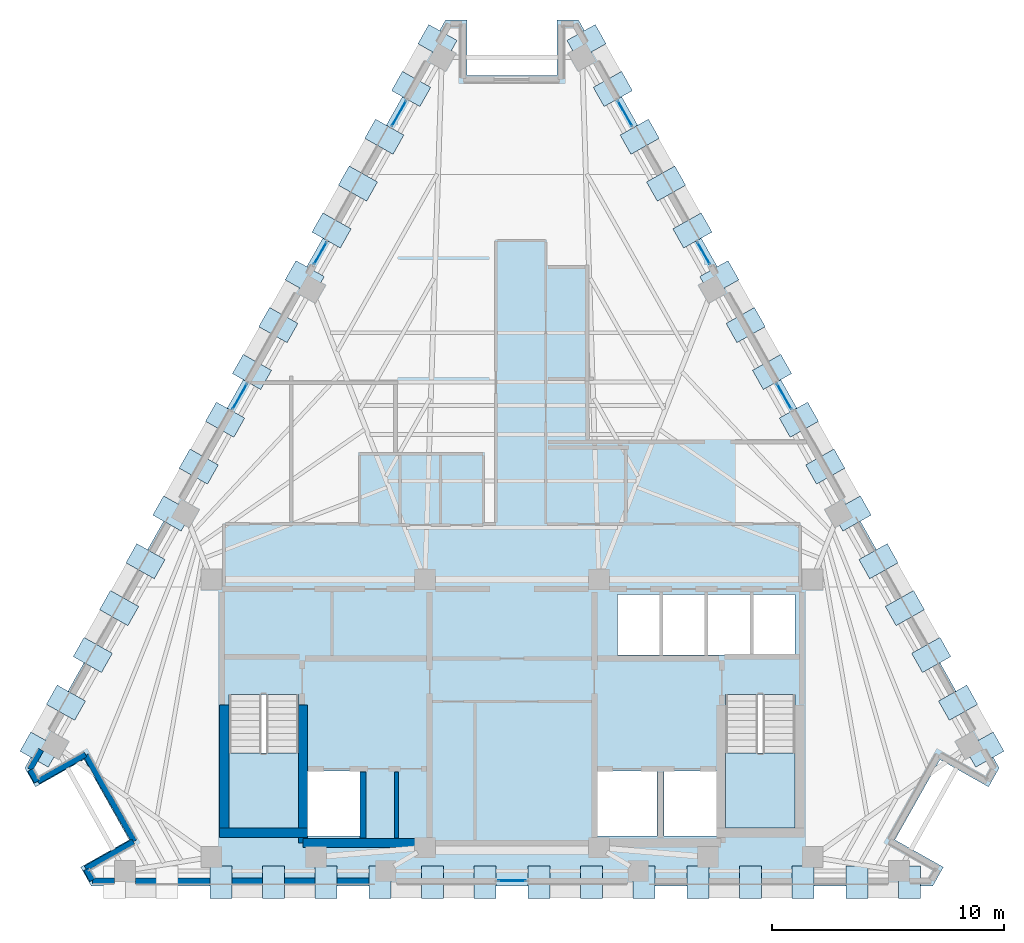
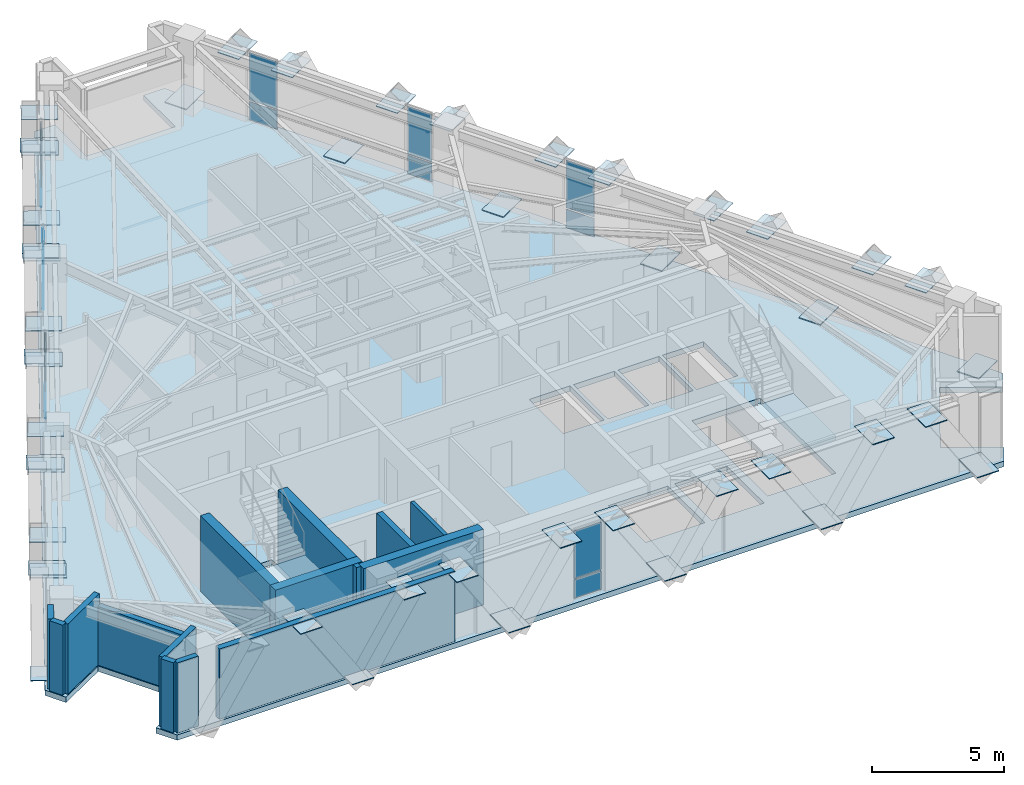
# One storey, part 6 of 12: 60 plates, 14 walls, 3 slabs, 9 elements without a shape of their own.
"""IFC4 building model written with IfcOpenShell, lengths in metres."""

from ifc_helpers import new_model, si_unit, direction, frame, frame_2d, origin, origin_2d, place, context, subcontext, project, spatial, polyline, rectangle, outline, extrude, material, layer, layer_set, type_object, element, aggregate, save


model = new_model("IFC4")

# Units and contexts
model_context = context("Model", 3, precision=1e-05, world=origin(), true_north=direction((0.0, 1.0)))
body_context = subcontext(model_context, "Body", "Model", "MODEL_VIEW")
ifc_project = project(units=[si_unit("LENGTHUNIT", "METRE"), si_unit("AREAUNIT", "SQUARE_METRE"), si_unit("VOLUMEUNIT", "CUBIC_METRE"), si_unit("PLANEANGLEUNIT", "RADIAN"), si_unit("MASSUNIT", "GRAM", prefix="KILO")], contexts=[model_context])

# Site, building, storey
site_placement = place(None, origin())
site = spatial("IfcSite", under=ifc_project, at=site_placement, CompositionType="ELEMENT")
building_placement = place(site_placement, origin())
building = spatial("IfcBuilding", under=site, at=building_placement, Name="Quenlor Broadcast Tower", CompositionType="ELEMENT")
storey_placement = place(building_placement, frame((0.0, 0.0, 221.89990234375)))
storey = spatial("IfcBuildingStorey", under=building, at=storey_placement, Name="L61", CompositionType="ELEMENT", Elevation=221.89990234375)

# Curtain wall, plates
ifc_material_1 = material(Name="Architectural Terracotta and Low-E Glazing", Category="masonry")
curtain_wall_type = type_object("IfcCurtainWallType", Name="Unitised Terracotta Curtain Wall System Z4", PredefinedType="NOTDEFINED", material=ifc_material_1)
curtain_wall_1_placement = place(storey_placement, origin())
curtain_wall_1 = element("IfcCurtainWall", 1, at=curtain_wall_1_placement, inside=storey, type_object=curtain_wall_type, Name="L61 Curtain Wall CW4 (L61-S-G1)", PredefinedType="NOTDEFINED")
ifc_material_2 = material(Name="Double Glazed Low-E Solar Glass", Category="glass")
ifc_layer_1 = layer(ifc_material_2, 0.028076171875)
ifc_layer_set_1 = layer_set([ifc_layer_1], Name="CW4 Double Glazed Vision Panel 28")
plate_type_1 = type_object("IfcPlateType", Name="CW4 Double Glazed Vision Panel 28", PredefinedType="CURTAIN_PANEL", material=ifc_layer_set_1)
plate_1_placement = place(storey_placement, frame((0.0, -17.77490234375, 0.068359375), z_axis=(0.0, 0.0, 1.0), x_axis=(-1.0, 0.0, 0.0)))
plate_1 = element("IfcPlate", 2, at=plate_1_placement, type_object=plate_type_1, Name="CW4 panel 1.1", PredefinedType="CURTAIN_PANEL", context=body_context, shape_type="SweptSolid", body=[
    extrude(rectangle(XDim=1.188720703125, YDim=0.028076171875, at=origin_2d()), origin(), (0.0, 0.0, 1.0), 0.847900390625),
])
plate_2_placement = place(storey_placement, frame((0.0, -17.77490234375, 0.98388671875), z_axis=(0.0, 0.0, 1.0), x_axis=(-1.0, 0.0, 0.0)))
plate_2 = element("IfcPlate", 3, at=plate_2_placement, type_object=plate_type_1, Name="CW4 panel 1.2", PredefinedType="CURTAIN_PANEL", context=body_context, shape_type="SweptSolid", body=[
    extrude(rectangle(XDim=1.188720703125, YDim=0.028076171875, at=origin_2d()), origin(), (0.0, 0.0, 1.0), 2.197998046875),
])
aggregate(curtain_wall_1, [plate_1, plate_2])

curtain_wall_2_placement = place(storey_placement, origin())
curtain_wall_2 = element("IfcCurtainWall", 4, at=curtain_wall_2_placement, inside=storey, type_object=curtain_wall_type, Name="L61 Curtain Wall CW4 (L61-NEA-G1)", PredefinedType="NOTDEFINED")
plate_3_placement = place(storey_placement, frame((4.87060546875, 15.281982421875, 0.068359375), z_axis=(0.0, 0.0, 1.0), x_axis=(0.490288844266, -0.871560008943, 0.0)))
plate_3 = element("IfcPlate", 5, at=plate_3_placement, type_object=plate_type_1, Name="CW4 panel 1.1", PredefinedType="CURTAIN_PANEL", context=body_context, shape_type="SweptSolid", body=[
    extrude(rectangle(XDim=1.239990234375, YDim=0.028076171875, at=origin_2d()), origin(), (0.0, 0.0, 1.0), 0.847900390625),
])
plate_4_placement = place(storey_placement, frame((4.87060546875, 15.281982421875, 0.98388671875), z_axis=(0.0, 0.0, 1.0), x_axis=(0.490288844266, -0.871560008943, 0.0)))
plate_4 = element("IfcPlate", 6, at=plate_4_placement, type_object=plate_type_1, Name="CW4 panel 1.2", PredefinedType="CURTAIN_PANEL", context=body_context, shape_type="SweptSolid", body=[
    extrude(rectangle(XDim=1.239990234375, YDim=0.028076171875, at=origin_2d()), origin(), (0.0, 0.0, 1.0), 2.197998046875),
])
aggregate(curtain_wall_2, [plate_3, plate_4])

curtain_wall_3_placement = place(storey_placement, origin())
curtain_wall_3 = element("IfcCurtainWall", 7, at=curtain_wall_3_placement, inside=storey, type_object=curtain_wall_type, Name="L61 Curtain Wall CW4 (L61-NEA-G2)", PredefinedType="NOTDEFINED")
plate_5_placement = place(storey_placement, frame((8.257080078125, 9.26171875, 0.068359375), z_axis=(0.0, 0.0, 1.0), x_axis=(0.490292850918, -0.871557755022, 0.0)))
plate_5 = element("IfcPlate", 8, at=plate_5_placement, type_object=plate_type_1, Name="CW4 panel 1.1", PredefinedType="CURTAIN_PANEL", context=body_context, shape_type="SweptSolid", body=[
    extrude(rectangle(XDim=1.0654296875, YDim=0.028076171875, at=origin_2d()), origin(), (0.0, 0.0, 1.0), 0.847900390625),
])
plate_6_placement = place(storey_placement, frame((8.257080078125, 9.26171875, 0.98388671875), z_axis=(0.0, 0.0, 1.0), x_axis=(0.490292850918, -0.871557755022, 0.0)))
plate_6 = element("IfcPlate", 9, at=plate_6_placement, type_object=plate_type_1, Name="CW4 panel 1.2", PredefinedType="CURTAIN_PANEL", context=body_context, shape_type="SweptSolid", body=[
    extrude(rectangle(XDim=1.0654296875, YDim=0.028076171875, at=origin_2d()), origin(), (0.0, 0.0, 1.0), 2.197998046875),
])
aggregate(curtain_wall_3, [plate_5, plate_6])

curtain_wall_4_placement = place(storey_placement, origin())
curtain_wall_4 = element("IfcCurtainWall", 10, at=curtain_wall_4_placement, inside=storey, type_object=curtain_wall_type, Name="L61 Curtain Wall CW4 (L61-NE-G1)", PredefinedType="NOTDEFINED")
plate_7_placement = place(storey_placement, frame((11.72900390625, 3.089599609375, 0.068359375), z_axis=(0.0, 0.0, 1.0), x_axis=(0.490288844266, -0.871560008943, 0.0)))
plate_7 = element("IfcPlate", 11, at=plate_7_placement, type_object=plate_type_1, Name="CW4 panel 1.1", PredefinedType="CURTAIN_PANEL", context=body_context, shape_type="SweptSolid", body=[
    extrude(rectangle(XDim=1.239990234375, YDim=0.028076171875, at=origin_2d()), origin(), (0.0, 0.0, 1.0), 0.847900390625),
])
plate_8_placement = place(storey_placement, frame((11.72900390625, 3.089599609375, 0.98388671875), z_axis=(0.0, 0.0, 1.0), x_axis=(0.490288844266, -0.871560008943, 0.0)))
plate_8 = element("IfcPlate", 12, at=plate_8_placement, type_object=plate_type_1, Name="CW4 panel 1.2", PredefinedType="CURTAIN_PANEL", context=body_context, shape_type="SweptSolid", body=[
    extrude(rectangle(XDim=1.239990234375, YDim=0.028076171875, at=origin_2d()), origin(), (0.0, 0.0, 1.0), 2.197998046875),
])
aggregate(curtain_wall_4, [plate_7, plate_8])

curtain_wall_5_placement = place(storey_placement, origin())
curtain_wall_5 = element("IfcCurtainWall", 13, at=curtain_wall_5_placement, inside=storey, type_object=curtain_wall_type, Name="L61 Curtain Wall CW4 (L61-NWC-G1)", PredefinedType="NOTDEFINED")
plate_9_placement = place(storey_placement, frame((-8.257080078125, 9.26171875, 0.068359375), z_axis=(0.0, 0.0, 1.0), x_axis=(0.490292850918, 0.871557755022, 0.0)))
plate_9 = element("IfcPlate", 14, at=plate_9_placement, type_object=plate_type_1, Name="CW4 panel 1.1", PredefinedType="CURTAIN_PANEL", context=body_context, shape_type="SweptSolid", body=[
    extrude(rectangle(XDim=1.0654296875, YDim=0.028076171875, at=origin_2d()), origin(), (0.0, 0.0, 1.0), 0.847900390625),
])
plate_10_placement = place(storey_placement, frame((-8.257080078125, 9.26171875, 0.98388671875), z_axis=(0.0, 0.0, 1.0), x_axis=(0.490292850918, 0.871557755022, 0.0)))
plate_10 = element("IfcPlate", 15, at=plate_10_placement, type_object=plate_type_1, Name="CW4 panel 1.2", PredefinedType="CURTAIN_PANEL", context=body_context, shape_type="SweptSolid", body=[
    extrude(rectangle(XDim=1.0654296875, YDim=0.028076171875, at=origin_2d()), origin(), (0.0, 0.0, 1.0), 2.197998046875),
])
aggregate(curtain_wall_5, [plate_9, plate_10])

curtain_wall_6_placement = place(storey_placement, origin())
curtain_wall_6 = element("IfcCurtainWall", 16, at=curtain_wall_6_placement, inside=storey, type_object=curtain_wall_type, Name="L61 Curtain Wall CW4 (L61-NWC-G2)", PredefinedType="NOTDEFINED")
plate_11_placement = place(storey_placement, frame((-4.87060546875, 15.281982421875, 0.068359375), z_axis=(0.0, 0.0, 1.0), x_axis=(0.490288844266, 0.871560008943, 0.0)))
plate_11 = element("IfcPlate", 17, at=plate_11_placement, type_object=plate_type_1, Name="CW4 panel 1.1", PredefinedType="CURTAIN_PANEL", context=body_context, shape_type="SweptSolid", body=[
    extrude(rectangle(XDim=1.239990234375, YDim=0.028076171875, at=origin_2d()), origin(), (0.0, 0.0, 1.0), 0.847900390625),
])
plate_12_placement = place(storey_placement, frame((-4.87060546875, 15.281982421875, 0.98388671875), z_axis=(0.0, 0.0, 1.0), x_axis=(0.490288844266, 0.871560008943, 0.0)))
plate_12 = element("IfcPlate", 18, at=plate_12_placement, type_object=plate_type_1, Name="CW4 panel 1.2", PredefinedType="CURTAIN_PANEL", context=body_context, shape_type="SweptSolid", body=[
    extrude(rectangle(XDim=1.239990234375, YDim=0.028076171875, at=origin_2d()), origin(), (0.0, 0.0, 1.0), 2.197998046875),
])
aggregate(curtain_wall_6, [plate_11, plate_12])

curtain_wall_7_placement = place(storey_placement, origin())
curtain_wall_7 = element("IfcCurtainWall", 19, at=curtain_wall_7_placement, inside=storey, type_object=curtain_wall_type, Name="L61 Curtain Wall CW4 (L61-NW-G1)", PredefinedType="NOTDEFINED")
plate_13_placement = place(storey_placement, frame((-11.72900390625, 3.089599609375, 0.068359375), z_axis=(0.0, 0.0, 1.0), x_axis=(0.490288844266, 0.871560008943, 0.0)))
plate_13 = element("IfcPlate", 20, at=plate_13_placement, type_object=plate_type_1, Name="CW4 panel 1.1", PredefinedType="CURTAIN_PANEL", context=body_context, shape_type="SweptSolid", body=[
    extrude(rectangle(XDim=1.239990234375, YDim=0.028076171875, at=origin_2d()), origin(), (0.0, 0.0, 1.0), 0.847900390625),
])
plate_14_placement = place(storey_placement, frame((-11.72900390625, 3.089599609375, 0.98388671875), z_axis=(0.0, 0.0, 1.0), x_axis=(0.490288844266, 0.871560008943, 0.0)))
plate_14 = element("IfcPlate", 21, at=plate_14_placement, type_object=plate_type_1, Name="CW4 panel 1.2", PredefinedType="CURTAIN_PANEL", context=body_context, shape_type="SweptSolid", body=[
    extrude(rectangle(XDim=1.239990234375, YDim=0.028076171875, at=origin_2d()), origin(), (0.0, 0.0, 1.0), 2.197998046875),
])
aggregate(curtain_wall_7, [plate_13, plate_14])

# Stair, slab
ifc_material_3 = material(Name="Precast concrete C40/50", Category="concrete")
stair_type = type_object("IfcStairType", Name="Precast Concrete C40/50 Dogleg Stair H350", PredefinedType="HALF_TURN_STAIR", material=ifc_material_3)
stair_1_placement = place(storey_placement, origin())
stair_1 = element("IfcStair", 22, at=stair_1_placement, inside=storey, type_object=stair_type, Name="L61 West Core Fire-Isolated Exit Stair ST-1", PredefinedType="HALF_TURN_STAIR")
ifc_material_4 = material(Name="Precast concrete C40/50", Category="concrete")
ifc_layer_2 = layer(ifc_material_4, 0.199951171875)
ifc_layer_set_2 = layer_set([ifc_layer_2], Name="Precast Concrete C40/50 Stair Landing Slab 200")
slab_type_1 = type_object("IfcSlabType", Name="Precast Concrete C40/50 Stair Landing Slab 200", PredefinedType="LANDING", material=ifc_layer_set_2)
slab_1_placement = place(storey_placement, frame((0.0, 0.0, 1.550048828125)))
slab_1 = element("IfcSlab", 23, at=slab_1_placement, type_object=slab_type_1, Name="ST-1 landing 1", PredefinedType="LANDING", context=body_context, shape_type="SweptSolid", body=[
    extrude(outline(polyline([(-12.199951171875, -12.27001953125), (-12.199951171875, -15.5), (-9.199951171875, -15.5), (-9.199951171875, -12.27001953125), (-12.199951171875, -12.27001953125)])), origin(), (0.0, 0.0, 1.0), 0.199951171875),
])
aggregate(stair_1, [slab_1])

stair_2_placement = place(storey_placement, origin())
stair_2 = element("IfcStair", 24, at=stair_2_placement, inside=storey, type_object=stair_type, Name="L61 East Core Fire-Isolated Exit Stair ST-2", PredefinedType="HALF_TURN_STAIR")
slab_2_placement = place(storey_placement, frame((0.0, 0.0, 1.550048828125)))
slab_2 = element("IfcSlab", 25, at=slab_2_placement, type_object=slab_type_1, Name="ST-2 landing 1", PredefinedType="LANDING", context=body_context, shape_type="SweptSolid", body=[
    extrude(outline(polyline([(9.199951171875, -12.27001953125), (9.199951171875, -15.5), (12.199951171875, -15.5), (12.199951171875, -12.27001953125), (9.199951171875, -12.27001953125)])), origin(), (0.0, 0.0, 1.0), 0.199951171875),
])
aggregate(stair_2, [slab_2])

# Slab
ifc_material_5 = material(Name="Concrete C40/50", Category="concrete")
ifc_layer_3 = layer(ifc_material_5, 0.25)
ifc_layer_set_3 = layer_set([ifc_layer_3], Name="Tower Composite Concrete C40/50 Slab 250")
slab_type_2 = type_object("IfcSlabType", Name="Tower Composite Concrete C40/50 Slab 250", PredefinedType="FLOOR", material=ifc_layer_set_3)
slab_3_placement = place(storey_placement, frame((0.0, 0.0, -0.25)))
element("IfcSlab", 26, at=slab_3_placement, inside=storey, type_object=slab_type_2, Name="L61 Structural Floor Slab", PredefinedType="FLOOR", context=body_context, shape_type="SweptSolid", body=[
    extrude(outline(polyline([(18.1259765625, -18.0), (18.583984375, -17.185791015625), (16.4921875, -16.00927734375), (18.438232421875, -12.549560546875), (20.530029296875, -13.72607421875), (20.988037109375, -12.912109375), (2.862060546875, 19.31201171875), (1.9462890625, 19.31201171875), (1.9462890625, 16.912109375), (-1.9462890625, 16.912109375), (-1.9462890625, 19.31201171875), (-2.862060546875, 19.31201171875), (-20.988037109375, -12.912109375), (-20.530029296875, -13.72607421875), (-18.438232421875, -12.549560546875), (-16.4921875, -16.00927734375), (-18.583984375, -17.185791015625), (-18.1259765625, -18.0), (18.1259765625, -18.0)]), holes=[polyline([(-12.199951171875, -9.758056640625), (-12.199951171875, -15.5), (-9.199951171875, -15.5), (-9.199951171875, -9.758056640625), (-12.199951171875, -9.758056640625)]), polyline([(9.199951171875, -9.758056640625), (9.199951171875, -15.5), (12.199951171875, -15.5), (12.199951171875, -9.758056640625), (9.199951171875, -9.758056640625)]), polyline([(4.550048828125, -8.050048828125), (6.35009765625, -8.050048828125), (6.35009765625, -5.449951171875), (4.550048828125, -5.449951171875), (4.550048828125, -8.050048828125)]), polyline([(6.5, -8.050048828125), (8.300048828125, -8.050048828125), (8.300048828125, -5.449951171875), (6.5, -5.449951171875), (6.5, -8.050048828125)]), polyline([(8.449951171875, -8.050048828125), (10.25, -8.050048828125), (10.25, -5.449951171875), (8.449951171875, -5.449951171875), (8.449951171875, -8.050048828125)]), polyline([(10.39990234375, -8.050048828125), (12.199951171875, -8.050048828125), (12.199951171875, -5.449951171875), (10.39990234375, -5.449951171875), (10.39990234375, -8.050048828125)]), polyline([(-8.85009765625, -15.85009765625), (-6.550048828125, -15.85009765625), (-6.550048828125, -13.050048828125), (-8.85009765625, -13.050048828125), (-8.85009765625, -15.85009765625)]), polyline([(6.550048828125, -15.85009765625), (8.85009765625, -15.85009765625), (8.85009765625, -13.050048828125), (6.550048828125, -13.050048828125), (6.550048828125, -15.85009765625)]), polyline([(3.64990234375, -15.85009765625), (6.25, -15.85009765625), (6.25, -13.050048828125), (3.64990234375, -13.050048828125), (3.64990234375, -15.85009765625)])]), origin(), (0.0, 0.0, 1.0), 0.25),
])

# Plates
ifc_material_6 = material(Name="Steel S355", Category="steel")
ifc_layer_4 = layer(ifc_material_6, 0.035888671875)
ifc_layer_set_4 = layer_set([ifc_layer_4], Name="Transfer Truss Steel S355 Gusset Node Plate 1400x950x36")
plate_type_2 = type_object("IfcPlateType", Name="Transfer Truss Steel S355 Gusset Node Plate 1400x950x36", PredefinedType="SHEET", material=ifc_layer_set_4)
for number, where, z_axis, x_axis, name in (
    (27, (17.1259765625, -17.8349609375, 0.0419921875), (0.0, 0.0, 1.0), (0.0, -1.0, 0.0), "L61 Lattice Tie Gusset Node S-B0"),
    (28, (14.856201171875, -17.8349609375, 3.18212890625), (0.0, 0.0, 1.0), (0.0, -1.0, 0.0), "L61 Lattice Tie Gusset Node S-T1"),
    (29, (10.275634765625, -17.8349609375, 0.0419921875), (0.0, 0.0, 1.0), (0.0, -1.0, 0.0), "L61 Lattice Tie Gusset Node S-B3"),
    (30, (12.54541015625, -17.8349609375, 3.18212890625), (0.0, 0.0, 1.0), (0.0, -1.0, 0.0), "L61 Lattice Tie Gusset Node S-T2"),
    (31, (8.005859375, -17.8349609375, 3.18212890625), (0.0, 0.0, 1.0), (0.0, -1.0, 0.0), "L61 Lattice Tie Gusset Node S-T4"),
    (32, (3.42529296875, -17.8349609375, 0.0419921875), (0.0, 0.0, 1.0), (0.0, -1.0, 0.0), "L61 Lattice Tie Gusset Node S-B6"),
    (33, (5.695068359375, -17.8349609375, 3.18212890625), (0.0, 0.0, 1.0), (0.0, -1.0, 0.0), "L61 Lattice Tie Gusset Node S-T5"),
    (34, (1.155517578125, -17.8349609375, 3.18212890625), (0.0, 0.0, 1.0), (0.0, -1.0, 0.0), "L61 Lattice Tie Gusset Node S-T7"),
    (35, (-3.42529296875, -17.8349609375, 0.0419921875), (0.0, 0.0, 1.0), (0.0, -1.0, 0.0), "L61 Lattice Tie Gusset Node S-B9"),
    (36, (-1.155517578125, -17.8349609375, 3.18212890625), (0.0, 0.0, 1.0), (0.0, -1.0, 0.0), "L61 Lattice Tie Gusset Node S-T8"),
    (37, (-5.695068359375, -17.8349609375, 3.18212890625), (0.0, 0.0, 1.0), (0.0, -1.0, 0.0), "L61 Lattice Tie Gusset Node S-T10"),
    (38, (-10.275634765625, -17.8349609375, 0.0419921875), (0.0, 0.0, 1.0), (0.0, -1.0, 0.0), "L61 Lattice Tie Gusset Node S-B12"),
    (39, (-8.005859375, -17.8349609375, 3.18212890625), (0.0, 0.0, 1.0), (0.0, -1.0, 0.0), "L61 Lattice Tie Gusset Node S-T11"),
    (40, (-12.54541015625, -17.8349609375, 3.18212890625), (0.0, 0.0, 1.0), (0.0, -1.0, 0.0), "L61 Lattice Tie Gusset Node S-T13"),
    (41, (3.20849609375, 18.359619140625, 0.0419921875), (0.0, 0.0, 1.0), (0.871556314255, 0.490295412055, 0.0), "L61 Lattice Tie Gusset Node NE-B0"),
    (42, (4.344482421875, 16.339599609375, 3.18212890625), (0.0, 0.0, 1.0), (0.871556314255, 0.490295412055, 0.0), "L61 Lattice Tie Gusset Node NE-T1"),
    (43, (6.6376953125, 12.263427734375, 0.0419921875), (0.0, 0.0, 1.0), (0.871556314255, 0.490295412055, 0.0), "L61 Lattice Tie Gusset Node NE-B3"),
    (44, (5.50146484375, 14.283203125, 3.18212890625), (0.0, 0.0, 1.0), (0.871556314255, 0.490295412055, 0.0), "L61 Lattice Tie Gusset Node NE-T2"),
    (45, (7.773681640625, 10.243408203125, 3.18212890625), (0.0, 0.0, 1.0), (0.871556314255, 0.490295412055, 0.0), "L61 Lattice Tie Gusset Node NE-T4"),
    (46, (10.066650390625, 6.167236328125, 0.0419921875), (0.0, 0.0, 1.0), (0.871556314255, 0.490295412055, 0.0), "L61 Lattice Tie Gusset Node NE-B6"),
    (47, (8.930419921875, 8.18701171875, 3.18212890625), (0.0, 0.0, 1.0), (0.871556314255, 0.490295412055, 0.0), "L61 Lattice Tie Gusset Node NE-T5"),
    (48, (11.202880859375, 4.147216796875, 3.18212890625), (0.0, 0.0, 1.0), (0.871556314255, 0.490295412055, 0.0), "L61 Lattice Tie Gusset Node NE-T7"),
    (49, (13.49560546875, 0.071044921875, 0.0419921875), (0.0, 0.0, 1.0), (0.871556314255, 0.490295412055, 0.0), "L61 Lattice Tie Gusset Node NE-B9"),
    (50, (12.359619140625, 2.0908203125, 3.18212890625), (0.0, 0.0, 1.0), (0.871556314255, 0.490295412055, 0.0), "L61 Lattice Tie Gusset Node NE-T8"),
    (51, (14.6318359375, -1.94873046875, 3.18212890625), (0.0, 0.0, 1.0), (0.871556314255, 0.490295412055, 0.0), "L61 Lattice Tie Gusset Node NE-T10"),
    (52, (16.9248046875, -6.025146484375, 0.0419921875), (0.0, 0.0, 1.0), (0.871556314255, 0.490295412055, 0.0), "L61 Lattice Tie Gusset Node NE-B12"),
    (53, (15.788818359375, -4.00537109375, 3.18212890625), (0.0, 0.0, 1.0), (0.871556314255, 0.490295412055, 0.0), "L61 Lattice Tie Gusset Node NE-T11"),
    (54, (18.06103515625, -8.044921875, 3.18212890625), (0.0, 0.0, 1.0), (0.871556314255, 0.490295412055, 0.0), "L61 Lattice Tie Gusset Node NE-T13"),
    (55, (20.35400390625, -12.121337890625, 0.0419921875), (0.0, 0.0, 1.0), (0.871556314255, 0.490295412055, 0.0), "L61 Lattice Tie Gusset Node NE-B15"),
    (56, (19.2177734375, -10.101318359375, 3.18212890625), (0.0, 0.0, 1.0), (0.871556314255, 0.490295412055, 0.0), "L61 Lattice Tie Gusset Node NE-T14"),
    (57, (-20.35400390625, -12.121337890625, 0.0419921875), (0.0, 0.0, 1.0), (-0.871556314255, 0.490295412055, 0.0), "L61 Lattice Tie Gusset Node NW-B0"),
    (58, (-19.2177734375, -10.101318359375, 3.18212890625), (0.0, 0.0, 1.0), (-0.871556314255, 0.490295412055, 0.0), "L61 Lattice Tie Gusset Node NW-T1"),
    (59, (-16.9248046875, -6.025146484375, 0.0419921875), (0.0, 0.0, 1.0), (-0.871556314255, 0.490295412055, 0.0), "L61 Lattice Tie Gusset Node NW-B3"),
    (60, (-18.06103515625, -8.044921875, 3.18212890625), (0.0, 0.0, 1.0), (-0.871556314255, 0.490295412055, 0.0), "L61 Lattice Tie Gusset Node NW-T2"),
    (61, (-15.788818359375, -4.00537109375, 3.18212890625), (0.0, 0.0, 1.0), (-0.871556314255, 0.490295412055, 0.0), "L61 Lattice Tie Gusset Node NW-T4"),
    (62, (-13.49560546875, 0.071044921875, 0.0419921875), (0.0, 0.0, 1.0), (-0.871556314255, 0.490295412055, 0.0), "L61 Lattice Tie Gusset Node NW-B6"),
    (63, (-14.6318359375, -1.94873046875, 3.18212890625), (0.0, 0.0, 1.0), (-0.871556314255, 0.490295412055, 0.0), "L61 Lattice Tie Gusset Node NW-T5"),
    (64, (-12.359619140625, 2.0908203125, 3.18212890625), (0.0, 0.0, 1.0), (-0.871556314255, 0.490295412055, 0.0), "L61 Lattice Tie Gusset Node NW-T7"),
    (65, (-10.066650390625, 6.167236328125, 0.0419921875), (0.0, 0.0, 1.0), (-0.871556314255, 0.490295412055, 0.0), "L61 Lattice Tie Gusset Node NW-B9"),
    (66, (-11.202880859375, 4.147216796875, 3.18212890625), (0.0, 0.0, 1.0), (-0.871556314255, 0.490295412055, 0.0), "L61 Lattice Tie Gusset Node NW-T8"),
    (67, (-8.930419921875, 8.18701171875, 3.18212890625), (0.0, 0.0, 1.0), (-0.871556314255, 0.490295412055, 0.0), "L61 Lattice Tie Gusset Node NW-T10"),
    (68, (-6.6376953125, 12.263427734375, 0.0419921875), (0.0, 0.0, 1.0), (-0.871556314255, 0.490295412055, 0.0), "L61 Lattice Tie Gusset Node NW-B12"),
    (69, (-7.773681640625, 10.243408203125, 3.18212890625), (0.0, 0.0, 1.0), (-0.871556314255, 0.490295412055, 0.0), "L61 Lattice Tie Gusset Node NW-T11"),
    (70, (-5.50146484375, 14.283203125, 3.18212890625), (0.0, 0.0, 1.0), (-0.871556314255, 0.490295412055, 0.0), "L61 Lattice Tie Gusset Node NW-T13"),
    (71, (-3.20849609375, 18.359619140625, 0.0419921875), (0.0, 0.0, 1.0), (-0.871556314255, 0.490295412055, 0.0), "L61 Lattice Tie Gusset Node NW-B15"),
    (72, (-4.344482421875, 16.339599609375, 3.18212890625), (0.0, 0.0, 1.0), (-0.871556314255, 0.490295412055, 0.0), "L61 Lattice Tie Gusset Node NW-T14"),
):
    element("IfcPlate", number, at=place(storey_placement, frame(where, z_axis=z_axis, x_axis=x_axis)), inside=storey, type_object=plate_type_2, Name=name, PredefinedType="SHEET", context=body_context, shape_type="SweptSolid", body=[
        extrude(rectangle(XDim=1.39990234375, YDim=0.949951171875, at=origin_2d()), origin(), (0.0, 0.0, 1.0), 0.035888671875),
    ])

# Walls
ifc_material_7 = material(Name="Concrete C50/60", Category="concrete")
ifc_layer_5 = layer(ifc_material_7, 0.39990234375)
ifc_layer_set_5 = layer_set([ifc_layer_5], Name="Core Concrete C50/60 Shear Wall 400")
wall_type_1 = type_object("IfcWallType", Name="Core Concrete C50/60 Shear Wall 400", PredefinedType="SHEAR", material=ifc_layer_set_5)
wall_1_placement = place(storey_placement, frame((-12.60009765625, -15.699951171875, 0.0), z_axis=(0.0, 0.0, 1.0), x_axis=(1.0, 0.0, 0.0)))
element("IfcWall", 73, at=wall_1_placement, inside=storey, type_object=wall_type_1, Name="L61 Core Shear Wall WS-W1", PredefinedType="SHEAR", context=body_context, shape_type="SweptSolid", body=[
    extrude(rectangle(XDim=3.800048828125, YDim=0.39990234375, at=frame_2d((1.89990234375, 0.0))), origin(), (0.0, 0.0, 1.0), 3.5),
])
wall_2_placement = place(storey_placement, frame((-9.0, -16.14990234375, 0.0), z_axis=(0.0, 0.0, 1.0), x_axis=(1.0, 0.0, 0.0)))
element("IfcWall", 74, at=wall_2_placement, inside=storey, type_object=wall_type_1, Name="L61 Core Shear Wall WS-W2", PredefinedType="SHEAR", context=body_context, shape_type="SweptSolid", body=[
    extrude(rectangle(XDim=5.25, YDim=0.39990234375, at=frame_2d((2.625, 0.0))), origin(), (0.0, 0.0, 1.0), 3.5),
])
wall_3_placement = place(storey_placement, frame((-12.39990234375, -15.699951171875, 0.0), z_axis=(0.0, 0.0, 1.0), x_axis=(0.0, 1.0, 0.0)))
element("IfcWall", 75, at=wall_3_placement, inside=storey, type_object=wall_type_1, Name="L61 Core Shear Wall WF-W", PredefinedType="SHEAR", context=body_context, shape_type="SweptSolid", body=[
    extrude(rectangle(XDim=5.5, YDim=0.39990234375, at=frame_2d((2.75, 0.0))), origin(), (0.0, 0.0, 1.0), 3.5),
])
wall_4_placement = place(storey_placement, frame((-9.0, -16.14990234375, 0.0), z_axis=(0.0, 0.0, 1.0), x_axis=(0.0, 1.0, 0.0)))
element("IfcWall", 76, at=wall_4_placement, inside=storey, type_object=wall_type_1, Name="L61 Core Shear Wall WI-W", PredefinedType="SHEAR", context=body_context, shape_type="SweptSolid", body=[
    extrude(rectangle(XDim=5.949951171875, YDim=0.39990234375, at=frame_2d((2.97509765625, 0.0))), origin(), (0.0, 0.0, 1.0), 3.5),
])
ifc_material_8 = material(Name="Concrete C40/50", Category="concrete")
ifc_layer_6 = layer(ifc_material_8, 0.25)
ifc_layer_set_6 = layer_set([ifc_layer_6], Name="Fire Rated Concrete C40/50 Core Wall 250")
wall_type_2 = type_object("IfcWallType", Name="Fire Rated Concrete C40/50 Core Wall 250", PredefinedType="PARTITIONING", material=ifc_layer_set_6)
wall_5_placement = place(storey_placement, frame((-6.419921875, -15.919921875, 0.0), z_axis=(0.0, 0.0, 1.0), x_axis=(0.0, 1.0, 0.0)))
element("IfcWall", 77, at=wall_5_placement, inside=storey, type_object=wall_type_2, Name="L61 Interior Wall CW-FF1-E", PredefinedType="PARTITIONING", context=body_context, shape_type="SweptSolid", body=[
    extrude(rectangle(XDim=2.829833984375, YDim=0.25, at=frame_2d((1.4150390625, 0.0))), origin(), (0.0, 0.0, 1.0), 3.25),
])
ifc_material_9 = material(Name="Gypsum Fireboard Partition", Category="other")
ifc_layer_7 = layer(ifc_material_9, 0.159912109375)
ifc_layer_set_7 = layer_set([ifc_layer_7], Name="Fire Rated Shaft and Corridor Partition 160")
wall_type_3 = type_object("IfcWallType", Name="Fire Rated Shaft and Corridor Partition 160", PredefinedType="PARTITIONING", material=ifc_layer_set_7)
wall_6_placement = place(storey_placement, frame((-4.97998046875, -15.919921875, 0.0), z_axis=(0.0, 0.0, 1.0), x_axis=(0.0, 1.0, 0.0)))
element("IfcWall", 78, at=wall_6_placement, inside=storey, type_object=wall_type_3, Name="L61 Interior Wall CW-ELR-E", PredefinedType="PARTITIONING", context=body_context, shape_type="SweptSolid", body=[
    extrude(rectangle(XDim=2.829833984375, YDim=0.159912109375, at=frame_2d((1.4150390625, 0.0))), origin(), (0.0, 0.0, 1.0), 3.25),
])
ifc_material_10 = material(Name="Precast concrete C40/50", Category="concrete")
ifc_layer_8 = layer(ifc_material_10, 0.239990234375)
ifc_layer_set_8 = layer_set([ifc_layer_8], Name="Terrace Threshold Precast Concrete C40/50 Wall 240")
wall_type_4 = type_object("IfcWallType", Name="Terrace Threshold Precast Concrete C40/50 Wall 240", PredefinedType="STANDARD", material=ifc_layer_set_8)
wall_7_placement = place(storey_placement, frame((-17.130859375, -17.77490234375, 0.0), z_axis=(0.0, 0.0, 1.0), x_axis=(-1.0, 0.0, 0.0)))
element("IfcWall", 79, at=wall_7_placement, inside=storey, type_object=wall_type_4, Name="L61 Exterior Wall L61-SHD-SS1", PredefinedType="STANDARD", context=body_context, shape_type="SweptSolid", body=[
    extrude(rectangle(XDim=0.93505859375, YDim=0.239990234375, at=frame_2d((0.467529296875, 0.0))), origin(), (0.0, 0.0, 1.0), 3.25),
])
wall_8_placement = place(storey_placement, frame((-20.762451171875, -12.969970703125, 0.0), z_axis=(0.0, 0.0, 1.0), x_axis=(0.490345412687, 0.87152818443, 0.0)))
element("IfcWall", 80, at=wall_8_placement, inside=storey, type_object=wall_type_4, Name="L61 Exterior Wall L61-SHD-NWS0", PredefinedType="STANDARD", context=body_context, shape_type="SweptSolid", body=[
    extrude(rectangle(XDim=0.9638671875, YDim=0.239990234375, at=frame_2d((0.48193359375, 0.0))), origin(), (0.0, 0.0, 1.0), 3.25),
])
wall_9_placement = place(storey_placement, frame((-20.75537109375, -12.999267578125, 0.0), z_axis=(0.0, 0.0, 1.0), x_axis=(0.490320776404, -0.871542045014, 0.0)))
element("IfcWall", 81, at=wall_9_placement, inside=storey, type_object=wall_type_4, Name="L61 Exterior Wall L61-CNR-12", PredefinedType="STANDARD", context=body_context, shape_type="SweptSolid", body=[
    extrude(rectangle(XDim=0.583984375, YDim=0.239990234375, at=frame_2d((0.2919921875, 0.0))), origin(), (0.0, 0.0, 1.0), 3.25),
])
wall_10_placement = place(storey_placement, frame((-20.43408203125, -13.488525390625, 0.0), z_axis=(0.0, 0.0, 1.0), x_axis=(0.871578299909, 0.490256327984, 0.0)))
element("IfcWall", 82, at=wall_10_placement, inside=storey, type_object=wall_type_4, Name="L61 Exterior Wall L61-CNR-13", PredefinedType="STANDARD", context=body_context, shape_type="SweptSolid", body=[
    extrude(rectangle(XDim=2.35986328125, YDim=0.239990234375, at=frame_2d((1.179931640625, 0.0))), origin(), (0.0, 0.0, 1.0), 3.25),
])
wall_11_placement = place(storey_placement, frame((-18.357666015625, -12.366455078125, 0.0), z_axis=(0.0, 0.0, 1.0), x_axis=(0.49027487746, -0.871567865706, 0.0)))
element("IfcWall", 83, at=wall_11_placement, inside=storey, type_object=wall_type_4, Name="L61 Exterior Wall L61-CNR-14", PredefinedType="STANDARD", context=body_context, shape_type="SweptSolid", body=[
    extrude(rectangle(XDim=4.249755859375, YDim=0.239990234375, at=frame_2d((2.125, 0.0))), origin(), (0.0, 0.0, 1.0), 2.721923828125),
])
wall_12_placement = place(storey_placement, frame((-16.30908203125, -16.08984375, 0.0), z_axis=(0.0, 0.0, 1.0), x_axis=(-0.871578299909, -0.490256327984, 0.0)))
element("IfcWall", 84, at=wall_12_placement, inside=storey, type_object=wall_type_4, Name="L61 Exterior Wall L61-CNR-15", PredefinedType="STANDARD", context=body_context, shape_type="SweptSolid", body=[
    extrude(rectangle(XDim=2.35986328125, YDim=0.239990234375, at=frame_2d((1.179931640625, 0.0))), origin(), (0.0, 0.0, 1.0), 3.25),
])
wall_13_placement = place(storey_placement, frame((-18.346435546875, -17.28173828125, 0.0), z_axis=(0.0, 0.0, 1.0), x_axis=(0.49038986747, -0.87150317147, 0.0)))
element("IfcWall", 85, at=wall_13_placement, inside=storey, type_object=wall_type_4, Name="L61 Exterior Wall L61-CNR-16", PredefinedType="STANDARD", context=body_context, shape_type="SweptSolid", body=[
    extrude(rectangle(XDim=0.540771484375, YDim=0.239990234375, at=frame_2d((0.2705078125, 0.0))), origin(), (0.0, 0.0, 1.0), 3.25),
])
ifc_material_11 = material(Name="Precast concrete C40/50", Category="concrete")
ifc_layer_9 = layer(ifc_material_11, 0.260009765625)
ifc_layer_set_9 = layer_set([ifc_layer_9], Name="Terracotta Precast Concrete C40/50 Upper Wall 260")
wall_type_5 = type_object("IfcWallType", Name="Terracotta Precast Concrete C40/50 Upper Wall 260", PredefinedType="STANDARD", material=ifc_layer_set_9)
wall_14_placement = place(storey_placement, frame((-5.892822265625, -17.77490234375, 0.0), z_axis=(0.0, 0.0, 1.0), x_axis=(-1.0, 0.0, 0.0)))
element("IfcWall", 86, at=wall_14_placement, inside=storey, type_object=wall_type_5, Name="L61 Exterior Wall L61-EW-SC", PredefinedType="STANDARD", context=body_context, shape_type="SweptSolid", body=[
    extrude(rectangle(XDim=10.328125, YDim=0.260009765625, at=frame_2d((5.1640625, 0.0))), origin(), (0.0, 0.0, 1.0), 3.25),
])

save(model, "model.ifc")
